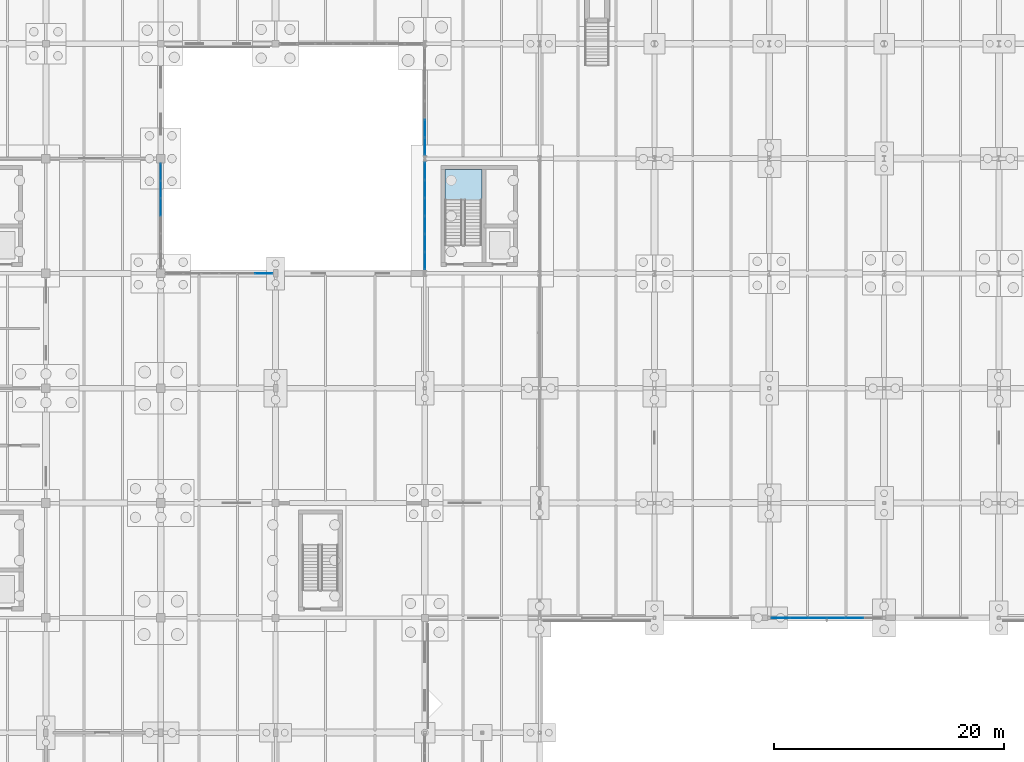
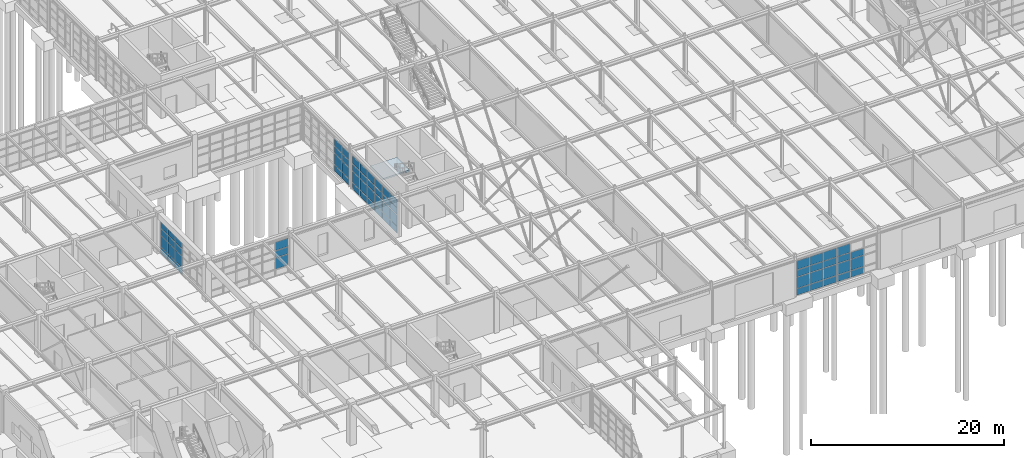
# One storey, part 84 of 145: 66 plates, 1 slab, 6 elements without a shape of their own.
"""IFC4 building model written with IfcOpenShell, lengths in metres."""

from ifc_helpers import new_model, si_unit, direction, frame, origin, origin_2d, place, context, subcontext, project, spatial, polyline, rectangle, outline, extrude, material, layer, layer_set, type_object, element, aggregate, save


model = new_model("IFC4")

# Units and contexts
model_context = context("Model", 3, precision=1e-05, world=origin(), true_north=direction((0.0, 1.0)))
body_context = subcontext(model_context, "Body", "Model", "MODEL_VIEW")
ifc_project = project(units=[si_unit("LENGTHUNIT", "METRE"), si_unit("AREAUNIT", "SQUARE_METRE"), si_unit("VOLUMEUNIT", "CUBIC_METRE"), si_unit("PLANEANGLEUNIT", "RADIAN"), si_unit("MASSUNIT", "GRAM", prefix="KILO"), si_unit("THERMODYNAMICTEMPERATUREUNIT", "KELVIN"), si_unit("POWERUNIT", "WATT")], contexts=[model_context])

# Site, building, storey
site_placement = place(None, origin())
site = spatial("IfcSite", under=ifc_project, at=site_placement, CompositionType="ELEMENT")
building_placement = place(site_placement, origin())
building = spatial("IfcBuilding", under=site, at=building_placement, Name="Korenveer Ferry Terminal", CompositionType="ELEMENT")
storey_placement = place(building_placement, origin())
storey = spatial("IfcBuildingStorey", under=building, at=storey_placement, Name="L00", CompositionType="ELEMENT", Elevation=0.0)

# Curtain wall, plates
ifc_material_1 = material(Name="Unitised bronze-and-glass curtain wall", Category="glass")
ifc_layer_1 = layer(ifc_material_1, 0.159912109375)
ifc_layer_set_1 = layer_set([ifc_layer_1], Name="Unitised bronze-and-glass curtain wall")
curtain_wall_type_1 = type_object("IfcCurtainWallType", Name="ENV-CW-02", PredefinedType="USERDEFINED", material=ifc_layer_set_1)
curtain_wall_1_placement = place(storey_placement, frame((83.155029296875, 20.0, 0.0)))
curtain_wall_1 = element("IfcCurtainWall", 1, at=curtain_wall_1_placement, inside=storey, type_object=curtain_wall_type_1, Name="Lancet curtain wall CWX-L00-X83-93-Y20-20", ObjectType="UNITISED CURTAIN WALL", PredefinedType="USERDEFINED")
ifc_material_2 = material(Name="Low-iron solar-control double glazing", Category="glass")
ifc_layer_2 = layer(ifc_material_2, 0.028076171875)
ifc_layer_set_2 = layer_set([ifc_layer_2], Name="Low-iron solar-control double glazing")
plate_type_1 = type_object("IfcPlateType", Name="ENV-CWP-GLZ28", PredefinedType="CURTAIN_PANEL", material=ifc_layer_set_2)
plate_1_placement = place(storey_placement, frame((83.9775390625, 20.0, 0.06005859375), z_axis=(0.0, 0.0, 1.0), x_axis=(1.0, 0.0, 0.0)))
plate_1 = element("IfcPlate", 2, at=plate_1_placement, type_object=plate_type_1, Name="CW-02 panel 1.1", PredefinedType="CURTAIN_PANEL", context=body_context, shape_type="SweptSolid", body=[
    extrude(rectangle(XDim=1.52490234375, YDim=0.028076171875, at=origin_2d()), origin(), (0.0, 0.0, 1.0), 0.81005859375),
])
plate_2_placement = place(storey_placement, frame((83.9775390625, 20.0, 0.93017578125), z_axis=(0.0, 0.0, 1.0), x_axis=(1.0, 0.0, 0.0)))
plate_2 = element("IfcPlate", 3, at=plate_2_placement, type_object=plate_type_1, Name="CW-02 panel 1.2", PredefinedType="CURTAIN_PANEL", context=body_context, shape_type="SweptSolid", body=[
    extrude(rectangle(XDim=1.52490234375, YDim=0.028076171875, at=origin_2d()), origin(), (0.0, 0.0, 1.0), 1.389892578125),
])
plate_3_placement = place(storey_placement, frame((83.9775390625, 20.0, 2.3798828125), z_axis=(0.0, 0.0, 1.0), x_axis=(1.0, 0.0, 0.0)))
plate_3 = element("IfcPlate", 4, at=plate_3_placement, type_object=plate_type_1, Name="CW-02 panel 1.3", PredefinedType="CURTAIN_PANEL", context=body_context, shape_type="SweptSolid", body=[
    extrude(rectangle(XDim=1.52490234375, YDim=0.028076171875, at=origin_2d()), origin(), (0.0, 0.0, 1.0), 0.840087890625),
])
plate_4_placement = place(storey_placement, frame((83.9775390625, 20.0, 3.27978515625), z_axis=(0.0, 0.0, 1.0), x_axis=(1.0, 0.0, 0.0)))
plate_4 = element("IfcPlate", 5, at=plate_4_placement, type_object=plate_type_1, Name="CW-02 panel 1.4", PredefinedType="CURTAIN_PANEL", context=body_context, shape_type="SweptSolid", body=[
    extrude(rectangle(XDim=1.52490234375, YDim=0.028076171875, at=origin_2d()), origin(), (0.0, 0.0, 1.0), 1.110107421875),
])
plate_5_placement = place(storey_placement, frame((85.577392578125, 20.0, 0.06005859375), z_axis=(0.0, 0.0, 1.0), x_axis=(1.0, 0.0, 0.0)))
plate_5 = element("IfcPlate", 6, at=plate_5_placement, type_object=plate_type_1, Name="CW-02 panel 2.1", PredefinedType="CURTAIN_PANEL", context=body_context, shape_type="SweptSolid", body=[
    extrude(rectangle(XDim=1.554931640625, YDim=0.028076171875, at=origin_2d()), origin(), (0.0, 0.0, 1.0), 0.81005859375),
])
plate_6_placement = place(storey_placement, frame((85.577392578125, 20.0, 0.93017578125), z_axis=(0.0, 0.0, 1.0), x_axis=(1.0, 0.0, 0.0)))
plate_6 = element("IfcPlate", 7, at=plate_6_placement, type_object=plate_type_1, Name="CW-02 panel 2.2", PredefinedType="CURTAIN_PANEL", context=body_context, shape_type="SweptSolid", body=[
    extrude(rectangle(XDim=1.554931640625, YDim=0.028076171875, at=origin_2d()), origin(), (0.0, 0.0, 1.0), 1.389892578125),
])
plate_7_placement = place(storey_placement, frame((85.577392578125, 20.0, 2.3798828125), z_axis=(0.0, 0.0, 1.0), x_axis=(1.0, 0.0, 0.0)))
plate_7 = element("IfcPlate", 8, at=plate_7_placement, type_object=plate_type_1, Name="CW-02 panel 2.3", PredefinedType="CURTAIN_PANEL", context=body_context, shape_type="SweptSolid", body=[
    extrude(rectangle(XDim=1.554931640625, YDim=0.028076171875, at=origin_2d()), origin(), (0.0, 0.0, 1.0), 0.840087890625),
])
plate_8_placement = place(storey_placement, frame((85.577392578125, 20.0, 3.27978515625), z_axis=(0.0, 0.0, 1.0), x_axis=(1.0, 0.0, 0.0)))
plate_8 = element("IfcPlate", 9, at=plate_8_placement, type_object=plate_type_1, Name="CW-02 panel 2.4", PredefinedType="CURTAIN_PANEL", context=body_context, shape_type="SweptSolid", body=[
    extrude(rectangle(XDim=1.554931640625, YDim=0.028076171875, at=origin_2d()), origin(), (0.0, 0.0, 1.0), 1.110107421875),
])
plate_9_placement = place(storey_placement, frame((87.1923828125, 20.0, 0.06005859375), z_axis=(0.0, 0.0, 1.0), x_axis=(1.0, 0.0, 0.0)))
plate_9 = element("IfcPlate", 10, at=plate_9_placement, type_object=plate_type_1, Name="CW-02 panel 3.1", PredefinedType="CURTAIN_PANEL", context=body_context, shape_type="SweptSolid", body=[
    extrude(rectangle(XDim=1.554931640625, YDim=0.028076171875, at=origin_2d()), origin(), (0.0, 0.0, 1.0), 0.81005859375),
])
plate_10_placement = place(storey_placement, frame((87.1923828125, 20.0, 0.93017578125), z_axis=(0.0, 0.0, 1.0), x_axis=(1.0, 0.0, 0.0)))
plate_10 = element("IfcPlate", 11, at=plate_10_placement, type_object=plate_type_1, Name="CW-02 panel 3.2", PredefinedType="CURTAIN_PANEL", context=body_context, shape_type="SweptSolid", body=[
    extrude(rectangle(XDim=1.554931640625, YDim=0.028076171875, at=origin_2d()), origin(), (0.0, 0.0, 1.0), 1.389892578125),
])
plate_11_placement = place(storey_placement, frame((87.1923828125, 20.0, 2.3798828125), z_axis=(0.0, 0.0, 1.0), x_axis=(1.0, 0.0, 0.0)))
plate_11 = element("IfcPlate", 12, at=plate_11_placement, type_object=plate_type_1, Name="CW-02 panel 3.3", PredefinedType="CURTAIN_PANEL", context=body_context, shape_type="SweptSolid", body=[
    extrude(rectangle(XDim=1.554931640625, YDim=0.028076171875, at=origin_2d()), origin(), (0.0, 0.0, 1.0), 0.840087890625),
])
plate_12_placement = place(storey_placement, frame((87.1923828125, 20.0, 3.27978515625), z_axis=(0.0, 0.0, 1.0), x_axis=(1.0, 0.0, 0.0)))
plate_12 = element("IfcPlate", 13, at=plate_12_placement, type_object=plate_type_1, Name="CW-02 panel 3.4", PredefinedType="CURTAIN_PANEL", context=body_context, shape_type="SweptSolid", body=[
    extrude(rectangle(XDim=1.554931640625, YDim=0.028076171875, at=origin_2d()), origin(), (0.0, 0.0, 1.0), 1.110107421875),
])
plate_13_placement = place(storey_placement, frame((88.8076171875, 20.0, 0.06005859375), z_axis=(0.0, 0.0, 1.0), x_axis=(1.0, 0.0, 0.0)))
plate_13 = element("IfcPlate", 14, at=plate_13_placement, type_object=plate_type_1, Name="CW-02 panel 4.1", PredefinedType="CURTAIN_PANEL", context=body_context, shape_type="SweptSolid", body=[
    extrude(rectangle(XDim=1.554931640625, YDim=0.028076171875, at=origin_2d()), origin(), (0.0, 0.0, 1.0), 0.81005859375),
])
plate_14_placement = place(storey_placement, frame((88.8076171875, 20.0, 0.93017578125), z_axis=(0.0, 0.0, 1.0), x_axis=(1.0, 0.0, 0.0)))
plate_14 = element("IfcPlate", 15, at=plate_14_placement, type_object=plate_type_1, Name="CW-02 panel 4.2", PredefinedType="CURTAIN_PANEL", context=body_context, shape_type="SweptSolid", body=[
    extrude(rectangle(XDim=1.554931640625, YDim=0.028076171875, at=origin_2d()), origin(), (0.0, 0.0, 1.0), 1.389892578125),
])
plate_15_placement = place(storey_placement, frame((88.8076171875, 20.0, 2.3798828125), z_axis=(0.0, 0.0, 1.0), x_axis=(1.0, 0.0, 0.0)))
plate_15 = element("IfcPlate", 16, at=plate_15_placement, type_object=plate_type_1, Name="CW-02 panel 4.3", PredefinedType="CURTAIN_PANEL", context=body_context, shape_type="SweptSolid", body=[
    extrude(rectangle(XDim=1.554931640625, YDim=0.028076171875, at=origin_2d()), origin(), (0.0, 0.0, 1.0), 0.840087890625),
])
plate_16_placement = place(storey_placement, frame((88.8076171875, 20.0, 3.27978515625), z_axis=(0.0, 0.0, 1.0), x_axis=(1.0, 0.0, 0.0)))
plate_16 = element("IfcPlate", 17, at=plate_16_placement, type_object=plate_type_1, Name="CW-02 panel 4.4", PredefinedType="CURTAIN_PANEL", context=body_context, shape_type="SweptSolid", body=[
    extrude(rectangle(XDim=1.554931640625, YDim=0.028076171875, at=origin_2d()), origin(), (0.0, 0.0, 1.0), 1.110107421875),
])
plate_17_placement = place(storey_placement, frame((90.422607421875, 20.0, 0.06005859375), z_axis=(0.0, 0.0, 1.0), x_axis=(1.0, 0.0, 0.0)))
plate_17 = element("IfcPlate", 18, at=plate_17_placement, type_object=plate_type_1, Name="CW-02 panel 5.1", PredefinedType="CURTAIN_PANEL", context=body_context, shape_type="SweptSolid", body=[
    extrude(rectangle(XDim=1.554931640625, YDim=0.028076171875, at=origin_2d()), origin(), (0.0, 0.0, 1.0), 0.81005859375),
])
plate_18_placement = place(storey_placement, frame((90.422607421875, 20.0, 0.93017578125), z_axis=(0.0, 0.0, 1.0), x_axis=(1.0, 0.0, 0.0)))
plate_18 = element("IfcPlate", 19, at=plate_18_placement, type_object=plate_type_1, Name="CW-02 panel 5.2", PredefinedType="CURTAIN_PANEL", context=body_context, shape_type="SweptSolid", body=[
    extrude(rectangle(XDim=1.554931640625, YDim=0.028076171875, at=origin_2d()), origin(), (0.0, 0.0, 1.0), 1.389892578125),
])
plate_19_placement = place(storey_placement, frame((90.422607421875, 20.0, 2.3798828125), z_axis=(0.0, 0.0, 1.0), x_axis=(1.0, 0.0, 0.0)))
plate_19 = element("IfcPlate", 20, at=plate_19_placement, type_object=plate_type_1, Name="CW-02 panel 5.3", PredefinedType="CURTAIN_PANEL", context=body_context, shape_type="SweptSolid", body=[
    extrude(rectangle(XDim=1.554931640625, YDim=0.028076171875, at=origin_2d()), origin(), (0.0, 0.0, 1.0), 0.840087890625),
])
aggregate(curtain_wall_1, [plate_1, plate_2, plate_3, plate_4, plate_5, plate_6, plate_7, plate_8, plate_9, plate_10, plate_11, plate_12, plate_13, plate_14, plate_15, plate_16, plate_17, plate_18, plate_19])

ifc_layer_3 = layer(ifc_material_1, 0.159912109375)
ifc_layer_set_3 = layer_set([ifc_layer_3], Name="Unitised bronze-and-glass curtain wall")
curtain_wall_type_2 = type_object("IfcCurtainWallType", Name="ENV-CW-03", PredefinedType="USERDEFINED", material=ifc_layer_set_3)
curtain_wall_2_placement = place(storey_placement, frame((30.405029296875, 50.0, 0.0)))
curtain_wall_2 = element("IfcCurtainWall", 21, at=curtain_wall_2_placement, inside=storey, type_object=curtain_wall_type_2, Name="Lancet curtain wall CWX-L00-X30-40-Y50-50", ObjectType="UNITISED CURTAIN WALL", PredefinedType="USERDEFINED")
plate_20_placement = place(storey_placement, frame((38.974609375, 50.0, 0.93017578125), z_axis=(0.0, 0.0, 1.0), x_axis=(1.0, 0.0, 0.0)))
plate_20 = element("IfcPlate", 22, at=plate_20_placement, type_object=plate_type_1, Name="CW-03 panel 6.2", PredefinedType="CURTAIN_PANEL", context=body_context, shape_type="SweptSolid", body=[
    extrude(rectangle(XDim=1.470947265625, YDim=0.028076171875, at=origin_2d()), origin(), (0.0, 0.0, 1.0), 1.389892578125),
])
plate_21_placement = place(storey_placement, frame((38.974609375, 50.0, 2.3798828125), z_axis=(0.0, 0.0, 1.0), x_axis=(1.0, 0.0, 0.0)))
plate_21 = element("IfcPlate", 23, at=plate_21_placement, type_object=plate_type_1, Name="CW-03 panel 6.3", PredefinedType="CURTAIN_PANEL", context=body_context, shape_type="SweptSolid", body=[
    extrude(rectangle(XDim=1.470947265625, YDim=0.028076171875, at=origin_2d()), origin(), (0.0, 0.0, 1.0), 0.840087890625),
])
plate_22_placement = place(storey_placement, frame((38.974609375, 50.0, 3.27978515625), z_axis=(0.0, 0.0, 1.0), x_axis=(1.0, 0.0, 0.0)))
plate_22 = element("IfcPlate", 24, at=plate_22_placement, type_object=plate_type_1, Name="CW-03 panel 6.4", PredefinedType="CURTAIN_PANEL", context=body_context, shape_type="SweptSolid", body=[
    extrude(rectangle(XDim=1.470947265625, YDim=0.028076171875, at=origin_2d()), origin(), (0.0, 0.0, 1.0), 1.050048828125),
])
aggregate(curtain_wall_2, [plate_20, plate_21, plate_22])

ifc_layer_4 = layer(ifc_material_1, 0.159912109375)
ifc_layer_set_4 = layer_set([ifc_layer_4], Name="Unitised bronze-and-glass curtain wall")
curtain_wall_type_3 = type_object("IfcCurtainWallType", Name="ENV-CW-20", PredefinedType="USERDEFINED", material=ifc_layer_set_4)
curtain_wall_3_placement = place(storey_placement, frame((30.0, 59.594970703125, 0.0)))
curtain_wall_3 = element("IfcCurtainWall", 25, at=curtain_wall_3_placement, inside=storey, type_object=curtain_wall_type_3, Name="Lancet curtain wall CWX-L00-X30-30-Y50-60", ObjectType="UNITISED CURTAIN WALL", PredefinedType="USERDEFINED")
plate_23_placement = place(storey_placement, frame((30.0, 58.814208984375, 0.06005859375), z_axis=(0.0, 0.0, 1.0), x_axis=(0.0, -1.0, 0.0)))
plate_23 = element("IfcPlate", 26, at=plate_23_placement, type_object=plate_type_1, Name="CW-20 panel 1.1", PredefinedType="CURTAIN_PANEL", context=body_context, shape_type="SweptSolid", body=[
    extrude(rectangle(XDim=1.441650390625, YDim=0.028076171875, at=origin_2d()), origin(), (0.0, 0.0, 1.0), 0.81005859375),
])
plate_24_placement = place(storey_placement, frame((30.0, 58.814208984375, 0.93017578125), z_axis=(0.0, 0.0, 1.0), x_axis=(0.0, -1.0, 0.0)))
plate_24 = element("IfcPlate", 27, at=plate_24_placement, type_object=plate_type_1, Name="CW-20 panel 1.2", PredefinedType="CURTAIN_PANEL", context=body_context, shape_type="SweptSolid", body=[
    extrude(rectangle(XDim=1.441650390625, YDim=0.028076171875, at=origin_2d()), origin(), (0.0, 0.0, 1.0), 1.389892578125),
])
plate_25_placement = place(storey_placement, frame((30.0, 58.814208984375, 2.3798828125), z_axis=(0.0, 0.0, 1.0), x_axis=(0.0, -1.0, 0.0)))
plate_25 = element("IfcPlate", 28, at=plate_25_placement, type_object=plate_type_1, Name="CW-20 panel 1.3", PredefinedType="CURTAIN_PANEL", context=body_context, shape_type="SweptSolid", body=[
    extrude(rectangle(XDim=1.441650390625, YDim=0.028076171875, at=origin_2d()), origin(), (0.0, 0.0, 1.0), 0.840087890625),
])
plate_26_placement = place(storey_placement, frame((30.0, 58.814208984375, 3.280029296875), z_axis=(0.0, 0.0, 1.0), x_axis=(0.0, -1.0, 0.0)))
plate_26 = element("IfcPlate", 29, at=plate_26_placement, type_object=plate_type_1, Name="CW-20 panel 1.4", PredefinedType="CURTAIN_PANEL", context=body_context, shape_type="SweptSolid", body=[
    extrude(rectangle(XDim=1.441650390625, YDim=0.028076171875, at=origin_2d()), origin(), (0.0, 0.0, 1.0), 0.75),
])
plate_27_placement = place(storey_placement, frame((30.0, 57.297607421875, 0.06005859375), z_axis=(0.0, 0.0, 1.0), x_axis=(0.0, -1.0, 0.0)))
plate_27 = element("IfcPlate", 30, at=plate_27_placement, type_object=plate_type_1, Name="CW-20 panel 2.1", PredefinedType="CURTAIN_PANEL", context=body_context, shape_type="SweptSolid", body=[
    extrude(rectangle(XDim=1.4716796875, YDim=0.028076171875, at=origin_2d()), origin(), (0.0, 0.0, 1.0), 0.81005859375),
])
plate_28_placement = place(storey_placement, frame((30.0, 57.297607421875, 0.93017578125), z_axis=(0.0, 0.0, 1.0), x_axis=(0.0, -1.0, 0.0)))
plate_28 = element("IfcPlate", 31, at=plate_28_placement, type_object=plate_type_1, Name="CW-20 panel 2.2", PredefinedType="CURTAIN_PANEL", context=body_context, shape_type="SweptSolid", body=[
    extrude(rectangle(XDim=1.4716796875, YDim=0.028076171875, at=origin_2d()), origin(), (0.0, 0.0, 1.0), 1.389892578125),
])
plate_29_placement = place(storey_placement, frame((30.0, 57.297607421875, 2.3798828125), z_axis=(0.0, 0.0, 1.0), x_axis=(0.0, -1.0, 0.0)))
plate_29 = element("IfcPlate", 32, at=plate_29_placement, type_object=plate_type_1, Name="CW-20 panel 2.3", PredefinedType="CURTAIN_PANEL", context=body_context, shape_type="SweptSolid", body=[
    extrude(rectangle(XDim=1.4716796875, YDim=0.028076171875, at=origin_2d()), origin(), (0.0, 0.0, 1.0), 0.840087890625),
])
plate_30_placement = place(storey_placement, frame((30.0, 57.297607421875, 3.280029296875), z_axis=(0.0, 0.0, 1.0), x_axis=(0.0, -1.0, 0.0)))
plate_30 = element("IfcPlate", 33, at=plate_30_placement, type_object=plate_type_1, Name="CW-20 panel 2.4", PredefinedType="CURTAIN_PANEL", context=body_context, shape_type="SweptSolid", body=[
    extrude(rectangle(XDim=1.4716796875, YDim=0.028076171875, at=origin_2d()), origin(), (0.0, 0.0, 1.0), 0.75),
])
plate_31_placement = place(storey_placement, frame((30.0, 55.765869140625, 0.06005859375), z_axis=(0.0, 0.0, 1.0), x_axis=(0.0, -1.0, 0.0)))
plate_31 = element("IfcPlate", 34, at=plate_31_placement, type_object=plate_type_1, Name="CW-20 panel 3.1", PredefinedType="CURTAIN_PANEL", context=body_context, shape_type="SweptSolid", body=[
    extrude(rectangle(XDim=1.4716796875, YDim=0.028076171875, at=origin_2d()), origin(), (0.0, 0.0, 1.0), 0.81005859375),
])
plate_32_placement = place(storey_placement, frame((30.0, 55.765869140625, 0.93017578125), z_axis=(0.0, 0.0, 1.0), x_axis=(0.0, -1.0, 0.0)))
plate_32 = element("IfcPlate", 35, at=plate_32_placement, type_object=plate_type_1, Name="CW-20 panel 3.2", PredefinedType="CURTAIN_PANEL", context=body_context, shape_type="SweptSolid", body=[
    extrude(rectangle(XDim=1.4716796875, YDim=0.028076171875, at=origin_2d()), origin(), (0.0, 0.0, 1.0), 1.389892578125),
])
plate_33_placement = place(storey_placement, frame((30.0, 55.765869140625, 2.3798828125), z_axis=(0.0, 0.0, 1.0), x_axis=(0.0, -1.0, 0.0)))
plate_33 = element("IfcPlate", 36, at=plate_33_placement, type_object=plate_type_1, Name="CW-20 panel 3.3", PredefinedType="CURTAIN_PANEL", context=body_context, shape_type="SweptSolid", body=[
    extrude(rectangle(XDim=1.4716796875, YDim=0.028076171875, at=origin_2d()), origin(), (0.0, 0.0, 1.0), 0.840087890625),
])
plate_34_placement = place(storey_placement, frame((30.0, 55.765869140625, 3.280029296875), z_axis=(0.0, 0.0, 1.0), x_axis=(0.0, -1.0, 0.0)))
plate_34 = element("IfcPlate", 37, at=plate_34_placement, type_object=plate_type_1, Name="CW-20 panel 3.4", PredefinedType="CURTAIN_PANEL", context=body_context, shape_type="SweptSolid", body=[
    extrude(rectangle(XDim=1.4716796875, YDim=0.028076171875, at=origin_2d()), origin(), (0.0, 0.0, 1.0), 0.75),
])
aggregate(curtain_wall_3, [plate_23, plate_24, plate_25, plate_26, plate_27, plate_28, plate_29, plate_30, plate_31, plate_32, plate_33, plate_34])

ifc_layer_5 = layer(ifc_material_1, 0.219970703125)
ifc_layer_set_5 = layer_set([ifc_layer_5], Name="Unitised bronze-and-glass curtain wall")
curtain_wall_type_4 = type_object("IfcCurtainWallType", Name="ENV-CW-26", PredefinedType="USERDEFINED", material=ifc_layer_set_5)
curtain_wall_4_placement = place(storey_placement, frame((53.0, 50.280029296875, 0.0)))
curtain_wall_4 = element("IfcCurtainWall", 38, at=curtain_wall_4_placement, inside=storey, type_object=curtain_wall_type_4, Name="Lancet curtain wall CWX-L00-X53-53-Y50-60", ObjectType="UNITISED CURTAIN WALL", PredefinedType="USERDEFINED")
ifc_material_3 = material(Name="Acoustic laminated marine glazing", Category="glass")
ifc_layer_6 = layer(ifc_material_3, 0.035888671875)
ifc_layer_set_6 = layer_set([ifc_layer_6], Name="Acoustic laminated marine glazing")
plate_type_2 = type_object("IfcPlateType", Name="ENV-CWP-GLZ36", PredefinedType="CURTAIN_PANEL", material=ifc_layer_set_6)
plate_35_placement = place(storey_placement, frame((53.0, 51.08544921875, 0.074951171875), z_axis=(0.0, 0.0, 1.0), x_axis=(0.0, 1.0, 0.0)))
plate_35 = element("IfcPlate", 39, at=plate_35_placement, type_object=plate_type_2, Name="CW-26 panel 1.1", PredefinedType="CURTAIN_PANEL", context=body_context, shape_type="SweptSolid", body=[
    extrude(rectangle(XDim=1.4609375, YDim=0.035888671875, at=origin_2d()), origin(), (0.0, 0.0, 1.0), 0.78759765625),
])
plate_36_placement = place(storey_placement, frame((53.0, 51.08544921875, 0.9375), z_axis=(0.0, 0.0, 1.0), x_axis=(0.0, 1.0, 0.0)))
plate_36 = element("IfcPlate", 40, at=plate_36_placement, type_object=plate_type_2, Name="CW-26 panel 1.2", PredefinedType="CURTAIN_PANEL", context=body_context, shape_type="SweptSolid", body=[
    extrude(rectangle(XDim=1.4609375, YDim=0.035888671875, at=origin_2d()), origin(), (0.0, 0.0, 1.0), 1.375),
])
plate_37_placement = place(storey_placement, frame((53.0, 51.08544921875, 2.3876953125), z_axis=(0.0, 0.0, 1.0), x_axis=(0.0, 1.0, 0.0)))
plate_37 = element("IfcPlate", 41, at=plate_37_placement, type_object=plate_type_2, Name="CW-26 panel 1.3", PredefinedType="CURTAIN_PANEL", context=body_context, shape_type="SweptSolid", body=[
    extrude(rectangle(XDim=1.4609375, YDim=0.035888671875, at=origin_2d()), origin(), (0.0, 0.0, 1.0), 0.824951171875),
])
plate_38_placement = place(storey_placement, frame((53.0, 51.08544921875, 3.28759765625), z_axis=(0.0, 0.0, 1.0), x_axis=(0.0, 1.0, 0.0)))
plate_38 = element("IfcPlate", 42, at=plate_38_placement, type_object=plate_type_2, Name="CW-26 panel 1.4", PredefinedType="CURTAIN_PANEL", context=body_context, shape_type="SweptSolid", body=[
    extrude(rectangle(XDim=1.4609375, YDim=0.035888671875, at=origin_2d()), origin(), (0.0, 0.0, 1.0), 0.987548828125),
])
plate_39_placement = place(storey_placement, frame((53.0, 52.639892578125, 0.074951171875), z_axis=(0.0, 0.0, 1.0), x_axis=(0.0, 1.0, 0.0)))
plate_39 = element("IfcPlate", 43, at=plate_39_placement, type_object=plate_type_2, Name="CW-26 panel 2.1", PredefinedType="CURTAIN_PANEL", context=body_context, shape_type="SweptSolid", body=[
    extrude(rectangle(XDim=1.498291015625, YDim=0.035888671875, at=origin_2d()), origin(), (0.0, 0.0, 1.0), 0.78759765625),
])
plate_40_placement = place(storey_placement, frame((53.0, 52.639892578125, 0.9375), z_axis=(0.0, 0.0, 1.0), x_axis=(0.0, 1.0, 0.0)))
plate_40 = element("IfcPlate", 44, at=plate_40_placement, type_object=plate_type_2, Name="CW-26 panel 2.2", PredefinedType="CURTAIN_PANEL", context=body_context, shape_type="SweptSolid", body=[
    extrude(rectangle(XDim=1.498291015625, YDim=0.035888671875, at=origin_2d()), origin(), (0.0, 0.0, 1.0), 1.375),
])
plate_41_placement = place(storey_placement, frame((53.0, 52.639892578125, 2.3876953125), z_axis=(0.0, 0.0, 1.0), x_axis=(0.0, 1.0, 0.0)))
plate_41 = element("IfcPlate", 45, at=plate_41_placement, type_object=plate_type_2, Name="CW-26 panel 2.3", PredefinedType="CURTAIN_PANEL", context=body_context, shape_type="SweptSolid", body=[
    extrude(rectangle(XDim=1.498291015625, YDim=0.035888671875, at=origin_2d()), origin(), (0.0, 0.0, 1.0), 0.824951171875),
])
plate_42_placement = place(storey_placement, frame((53.0, 52.639892578125, 3.28759765625), z_axis=(0.0, 0.0, 1.0), x_axis=(0.0, 1.0, 0.0)))
plate_42 = element("IfcPlate", 46, at=plate_42_placement, type_object=plate_type_2, Name="CW-26 panel 2.4", PredefinedType="CURTAIN_PANEL", context=body_context, shape_type="SweptSolid", body=[
    extrude(rectangle(XDim=1.498291015625, YDim=0.035888671875, at=origin_2d()), origin(), (0.0, 0.0, 1.0), 0.987548828125),
])
plate_43_placement = place(storey_placement, frame((53.0, 54.21337890625, 0.074951171875), z_axis=(0.0, 0.0, 1.0), x_axis=(0.0, 1.0, 0.0)))
plate_43 = element("IfcPlate", 47, at=plate_43_placement, type_object=plate_type_2, Name="CW-26 panel 3.1", PredefinedType="CURTAIN_PANEL", context=body_context, shape_type="SweptSolid", body=[
    extrude(rectangle(XDim=1.498291015625, YDim=0.035888671875, at=origin_2d()), origin(), (0.0, 0.0, 1.0), 0.78759765625),
])
plate_44_placement = place(storey_placement, frame((53.0, 54.21337890625, 0.9375), z_axis=(0.0, 0.0, 1.0), x_axis=(0.0, 1.0, 0.0)))
plate_44 = element("IfcPlate", 48, at=plate_44_placement, type_object=plate_type_2, Name="CW-26 panel 3.2", PredefinedType="CURTAIN_PANEL", context=body_context, shape_type="SweptSolid", body=[
    extrude(rectangle(XDim=1.498291015625, YDim=0.035888671875, at=origin_2d()), origin(), (0.0, 0.0, 1.0), 1.375),
])
plate_45_placement = place(storey_placement, frame((53.0, 54.21337890625, 2.3876953125), z_axis=(0.0, 0.0, 1.0), x_axis=(0.0, 1.0, 0.0)))
plate_45 = element("IfcPlate", 49, at=plate_45_placement, type_object=plate_type_2, Name="CW-26 panel 3.3", PredefinedType="CURTAIN_PANEL", context=body_context, shape_type="SweptSolid", body=[
    extrude(rectangle(XDim=1.498291015625, YDim=0.035888671875, at=origin_2d()), origin(), (0.0, 0.0, 1.0), 0.824951171875),
])
plate_46_placement = place(storey_placement, frame((53.0, 54.21337890625, 3.28759765625), z_axis=(0.0, 0.0, 1.0), x_axis=(0.0, 1.0, 0.0)))
plate_46 = element("IfcPlate", 50, at=plate_46_placement, type_object=plate_type_2, Name="CW-26 panel 3.4", PredefinedType="CURTAIN_PANEL", context=body_context, shape_type="SweptSolid", body=[
    extrude(rectangle(XDim=1.498291015625, YDim=0.035888671875, at=origin_2d()), origin(), (0.0, 0.0, 1.0), 0.987548828125),
])
plate_47_placement = place(storey_placement, frame((53.0, 55.78662109375, 0.074951171875), z_axis=(0.0, 0.0, 1.0), x_axis=(0.0, 1.0, 0.0)))
plate_47 = element("IfcPlate", 51, at=plate_47_placement, type_object=plate_type_2, Name="CW-26 panel 4.1", PredefinedType="CURTAIN_PANEL", context=body_context, shape_type="SweptSolid", body=[
    extrude(rectangle(XDim=1.498291015625, YDim=0.035888671875, at=origin_2d()), origin(), (0.0, 0.0, 1.0), 0.78759765625),
])
plate_48_placement = place(storey_placement, frame((53.0, 55.78662109375, 0.9375), z_axis=(0.0, 0.0, 1.0), x_axis=(0.0, 1.0, 0.0)))
plate_48 = element("IfcPlate", 52, at=plate_48_placement, type_object=plate_type_2, Name="CW-26 panel 4.2", PredefinedType="CURTAIN_PANEL", context=body_context, shape_type="SweptSolid", body=[
    extrude(rectangle(XDim=1.498291015625, YDim=0.035888671875, at=origin_2d()), origin(), (0.0, 0.0, 1.0), 1.375),
])
plate_49_placement = place(storey_placement, frame((53.0, 55.78662109375, 2.3876953125), z_axis=(0.0, 0.0, 1.0), x_axis=(0.0, 1.0, 0.0)))
plate_49 = element("IfcPlate", 53, at=plate_49_placement, type_object=plate_type_2, Name="CW-26 panel 4.3", PredefinedType="CURTAIN_PANEL", context=body_context, shape_type="SweptSolid", body=[
    extrude(rectangle(XDim=1.498291015625, YDim=0.035888671875, at=origin_2d()), origin(), (0.0, 0.0, 1.0), 0.824951171875),
])
plate_50_placement = place(storey_placement, frame((53.0, 55.78662109375, 3.28759765625), z_axis=(0.0, 0.0, 1.0), x_axis=(0.0, 1.0, 0.0)))
plate_50 = element("IfcPlate", 54, at=plate_50_placement, type_object=plate_type_2, Name="CW-26 panel 4.4", PredefinedType="CURTAIN_PANEL", context=body_context, shape_type="SweptSolid", body=[
    extrude(rectangle(XDim=1.498291015625, YDim=0.035888671875, at=origin_2d()), origin(), (0.0, 0.0, 1.0), 0.987548828125),
])
plate_51_placement = place(storey_placement, frame((53.0, 57.360107421875, 0.074951171875), z_axis=(0.0, 0.0, 1.0), x_axis=(0.0, 1.0, 0.0)))
plate_51 = element("IfcPlate", 55, at=plate_51_placement, type_object=plate_type_2, Name="CW-26 panel 5.1", PredefinedType="CURTAIN_PANEL", context=body_context, shape_type="SweptSolid", body=[
    extrude(rectangle(XDim=1.498291015625, YDim=0.035888671875, at=origin_2d()), origin(), (0.0, 0.0, 1.0), 0.78759765625),
])
plate_52_placement = place(storey_placement, frame((53.0, 57.360107421875, 0.9375), z_axis=(0.0, 0.0, 1.0), x_axis=(0.0, 1.0, 0.0)))
plate_52 = element("IfcPlate", 56, at=plate_52_placement, type_object=plate_type_2, Name="CW-26 panel 5.2", PredefinedType="CURTAIN_PANEL", context=body_context, shape_type="SweptSolid", body=[
    extrude(rectangle(XDim=1.498291015625, YDim=0.035888671875, at=origin_2d()), origin(), (0.0, 0.0, 1.0), 1.375),
])
plate_53_placement = place(storey_placement, frame((53.0, 57.360107421875, 2.3876953125), z_axis=(0.0, 0.0, 1.0), x_axis=(0.0, 1.0, 0.0)))
plate_53 = element("IfcPlate", 57, at=plate_53_placement, type_object=plate_type_2, Name="CW-26 panel 5.3", PredefinedType="CURTAIN_PANEL", context=body_context, shape_type="SweptSolid", body=[
    extrude(rectangle(XDim=1.498291015625, YDim=0.035888671875, at=origin_2d()), origin(), (0.0, 0.0, 1.0), 0.824951171875),
])
plate_54_placement = place(storey_placement, frame((53.0, 57.360107421875, 3.28759765625), z_axis=(0.0, 0.0, 1.0), x_axis=(0.0, 1.0, 0.0)))
plate_54 = element("IfcPlate", 58, at=plate_54_placement, type_object=plate_type_2, Name="CW-26 panel 5.4", PredefinedType="CURTAIN_PANEL", context=body_context, shape_type="SweptSolid", body=[
    extrude(rectangle(XDim=1.498291015625, YDim=0.035888671875, at=origin_2d()), origin(), (0.0, 0.0, 1.0), 0.987548828125),
])
plate_55_placement = place(storey_placement, frame((53.0, 58.91455078125, 0.074951171875), z_axis=(0.0, 0.0, 1.0), x_axis=(0.0, 1.0, 0.0)))
plate_55 = element("IfcPlate", 59, at=plate_55_placement, type_object=plate_type_2, Name="CW-26 panel 6.1", PredefinedType="CURTAIN_PANEL", context=body_context, shape_type="SweptSolid", body=[
    extrude(rectangle(XDim=1.4609375, YDim=0.035888671875, at=origin_2d()), origin(), (0.0, 0.0, 1.0), 0.78759765625),
])
plate_56_placement = place(storey_placement, frame((53.0, 58.91455078125, 0.9375), z_axis=(0.0, 0.0, 1.0), x_axis=(0.0, 1.0, 0.0)))
plate_56 = element("IfcPlate", 60, at=plate_56_placement, type_object=plate_type_2, Name="CW-26 panel 6.2", PredefinedType="CURTAIN_PANEL", context=body_context, shape_type="SweptSolid", body=[
    extrude(rectangle(XDim=1.4609375, YDim=0.035888671875, at=origin_2d()), origin(), (0.0, 0.0, 1.0), 1.375),
])
plate_57_placement = place(storey_placement, frame((53.0, 58.91455078125, 2.3876953125), z_axis=(0.0, 0.0, 1.0), x_axis=(0.0, 1.0, 0.0)))
plate_57 = element("IfcPlate", 61, at=plate_57_placement, type_object=plate_type_2, Name="CW-26 panel 6.3", PredefinedType="CURTAIN_PANEL", context=body_context, shape_type="SweptSolid", body=[
    extrude(rectangle(XDim=1.4609375, YDim=0.035888671875, at=origin_2d()), origin(), (0.0, 0.0, 1.0), 0.824951171875),
])
plate_58_placement = place(storey_placement, frame((53.0, 58.91455078125, 3.28759765625), z_axis=(0.0, 0.0, 1.0), x_axis=(0.0, 1.0, 0.0)))
plate_58 = element("IfcPlate", 62, at=plate_58_placement, type_object=plate_type_2, Name="CW-26 panel 6.4", PredefinedType="CURTAIN_PANEL", context=body_context, shape_type="SweptSolid", body=[
    extrude(rectangle(XDim=1.4609375, YDim=0.035888671875, at=origin_2d()), origin(), (0.0, 0.0, 1.0), 0.987548828125),
])
aggregate(curtain_wall_4, [plate_35, plate_36, plate_37, plate_38, plate_39, plate_40, plate_41, plate_42, plate_43, plate_44, plate_45, plate_46, plate_47, plate_48, plate_49, plate_50, plate_51, plate_52, plate_53, plate_54, plate_55, plate_56, plate_57, plate_58])

ifc_layer_7 = layer(ifc_material_1, 0.219970703125)
ifc_layer_set_7 = layer_set([ifc_layer_7], Name="Unitised bronze-and-glass curtain wall")
curtain_wall_type_5 = type_object("IfcCurtainWallType", Name="ENV-CW-27", PredefinedType="USERDEFINED", material=ifc_layer_set_7)
curtain_wall_5_placement = place(storey_placement, frame((53.0, 60.280029296875, 0.0)))
curtain_wall_5 = element("IfcCurtainWall", 63, at=curtain_wall_5_placement, inside=storey, type_object=curtain_wall_type_5, Name="Lancet curtain wall CWX-L00-X53-53-Y60-70", ObjectType="UNITISED CURTAIN WALL", PredefinedType="USERDEFINED")
plate_59_placement = place(storey_placement, frame((53.0, 61.08544921875, 0.074951171875), z_axis=(0.0, 0.0, 1.0), x_axis=(0.0, 1.0, 0.0)))
plate_59 = element("IfcPlate", 64, at=plate_59_placement, type_object=plate_type_2, Name="CW-27 panel 1.1", PredefinedType="CURTAIN_PANEL", context=body_context, shape_type="SweptSolid", body=[
    extrude(rectangle(XDim=1.4609375, YDim=0.035888671875, at=origin_2d()), origin(), (0.0, 0.0, 1.0), 0.78759765625),
])
plate_60_placement = place(storey_placement, frame((53.0, 61.08544921875, 0.9375), z_axis=(0.0, 0.0, 1.0), x_axis=(0.0, 1.0, 0.0)))
plate_60 = element("IfcPlate", 65, at=plate_60_placement, type_object=plate_type_2, Name="CW-27 panel 1.2", PredefinedType="CURTAIN_PANEL", context=body_context, shape_type="SweptSolid", body=[
    extrude(rectangle(XDim=1.4609375, YDim=0.035888671875, at=origin_2d()), origin(), (0.0, 0.0, 1.0), 1.375),
])
plate_61_placement = place(storey_placement, frame((53.0, 61.08544921875, 2.3876953125), z_axis=(0.0, 0.0, 1.0), x_axis=(0.0, 1.0, 0.0)))
plate_61 = element("IfcPlate", 66, at=plate_61_placement, type_object=plate_type_2, Name="CW-27 panel 1.3", PredefinedType="CURTAIN_PANEL", context=body_context, shape_type="SweptSolid", body=[
    extrude(rectangle(XDim=1.4609375, YDim=0.035888671875, at=origin_2d()), origin(), (0.0, 0.0, 1.0), 0.824951171875),
])
plate_62_placement = place(storey_placement, frame((53.0, 61.08544921875, 3.28759765625), z_axis=(0.0, 0.0, 1.0), x_axis=(0.0, 1.0, 0.0)))
plate_62 = element("IfcPlate", 67, at=plate_62_placement, type_object=plate_type_2, Name="CW-27 panel 1.4", PredefinedType="CURTAIN_PANEL", context=body_context, shape_type="SweptSolid", body=[
    extrude(rectangle(XDim=1.4609375, YDim=0.035888671875, at=origin_2d()), origin(), (0.0, 0.0, 1.0), 0.887451171875),
])
plate_63_placement = place(storey_placement, frame((53.0, 62.639892578125, 0.074951171875), z_axis=(0.0, 0.0, 1.0), x_axis=(0.0, 1.0, 0.0)))
plate_63 = element("IfcPlate", 68, at=plate_63_placement, type_object=plate_type_2, Name="CW-27 panel 2.1", PredefinedType="CURTAIN_PANEL", context=body_context, shape_type="SweptSolid", body=[
    extrude(rectangle(XDim=1.498291015625, YDim=0.035888671875, at=origin_2d()), origin(), (0.0, 0.0, 1.0), 0.78759765625),
])
plate_64_placement = place(storey_placement, frame((53.0, 62.639892578125, 0.9375), z_axis=(0.0, 0.0, 1.0), x_axis=(0.0, 1.0, 0.0)))
plate_64 = element("IfcPlate", 69, at=plate_64_placement, type_object=plate_type_2, Name="CW-27 panel 2.2", PredefinedType="CURTAIN_PANEL", context=body_context, shape_type="SweptSolid", body=[
    extrude(rectangle(XDim=1.498291015625, YDim=0.035888671875, at=origin_2d()), origin(), (0.0, 0.0, 1.0), 1.375),
])
plate_65_placement = place(storey_placement, frame((53.0, 62.639892578125, 2.3876953125), z_axis=(0.0, 0.0, 1.0), x_axis=(0.0, 1.0, 0.0)))
plate_65 = element("IfcPlate", 70, at=plate_65_placement, type_object=plate_type_2, Name="CW-27 panel 2.3", PredefinedType="CURTAIN_PANEL", context=body_context, shape_type="SweptSolid", body=[
    extrude(rectangle(XDim=1.498291015625, YDim=0.035888671875, at=origin_2d()), origin(), (0.0, 0.0, 1.0), 0.824951171875),
])
plate_66_placement = place(storey_placement, frame((53.0, 62.639892578125, 3.28759765625), z_axis=(0.0, 0.0, 1.0), x_axis=(0.0, 1.0, 0.0)))
plate_66 = element("IfcPlate", 71, at=plate_66_placement, type_object=plate_type_2, Name="CW-27 panel 2.4", PredefinedType="CURTAIN_PANEL", context=body_context, shape_type="SweptSolid", body=[
    extrude(rectangle(XDim=1.498291015625, YDim=0.035888671875, at=origin_2d()), origin(), (0.0, 0.0, 1.0), 0.887451171875),
])
aggregate(curtain_wall_5, [plate_59, plate_60, plate_61, plate_62, plate_63, plate_64, plate_65, plate_66])

# Stair, slab
ifc_material_4 = material(Name="Concrete C40/50", Category="concrete")
stair_type = type_object("IfcStairType", Name="INT-ST-05", PredefinedType="HALF_TURN_STAIR", material=ifc_material_4)
stair_placement = place(storey_placement, frame((57.2099609375, 52.4599609375, 0.0)))
stair = element("IfcStair", 72, at=stair_placement, inside=storey, type_object=stair_type, Name="L00 Departure West Core K5", PredefinedType="HALF_TURN_STAIR")
ifc_layer_8 = layer(ifc_material_4, 0.199951171875)
ifc_layer_set_8 = layer_set([ifc_layer_8], Name="Concrete C40/50")
slab_type = type_object("IfcSlabType", Name="INT-SL-LAND200", PredefinedType="LANDING", material=ifc_layer_set_8)
slab_placement = place(storey_placement, frame((0.0, 0.0, 2.5)))
slab = element("IfcSlab", 73, at=slab_placement, type_object=slab_type, Name="ST05 landing 1", PredefinedType="LANDING", context=body_context, shape_type="SweptSolid", body=[
    extrude(outline(polyline([(57.9599609375, 56.3798828125), (57.9599609375, 59.0400390625), (54.760009765625, 59.0400390625), (54.760009765625, 56.3798828125), (57.9599609375, 56.3798828125)])), origin(), (0.0, 0.0, 1.0), 0.199951171875),
])
aggregate(stair, [slab])

save(model, "model.ifc")
